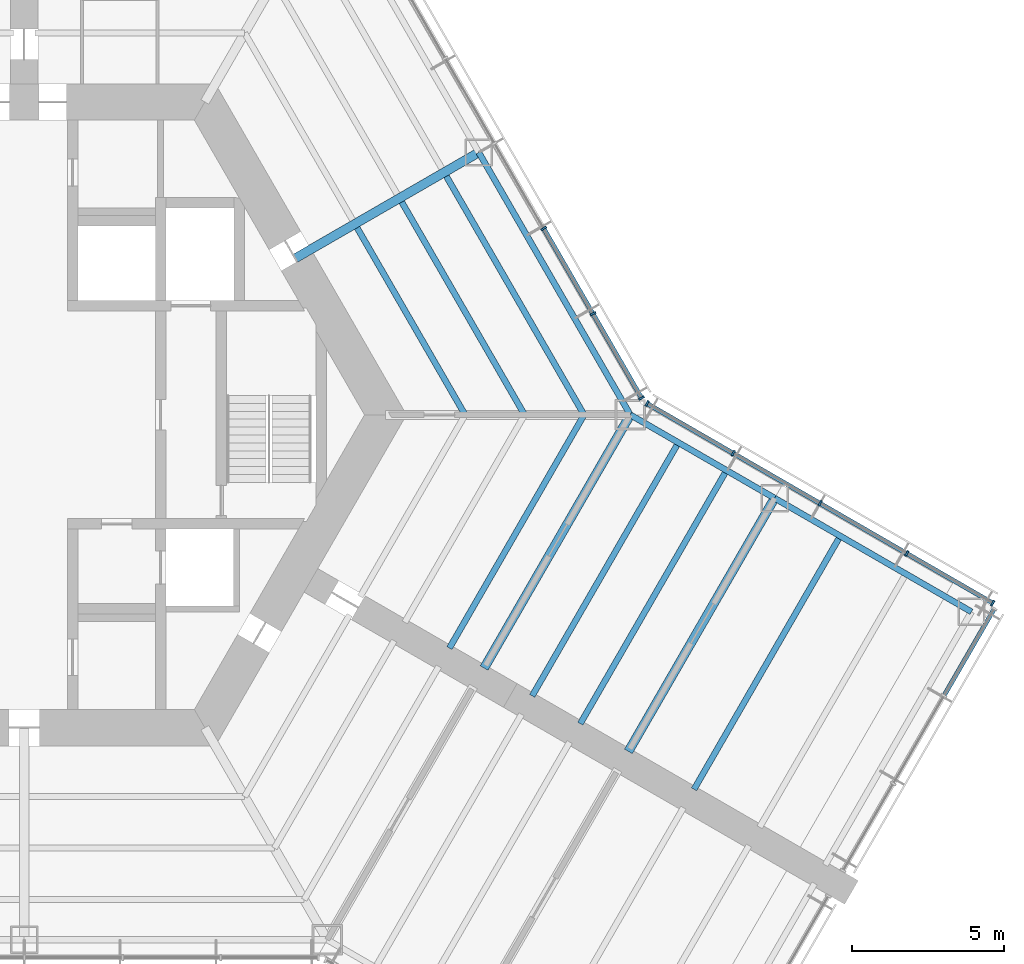
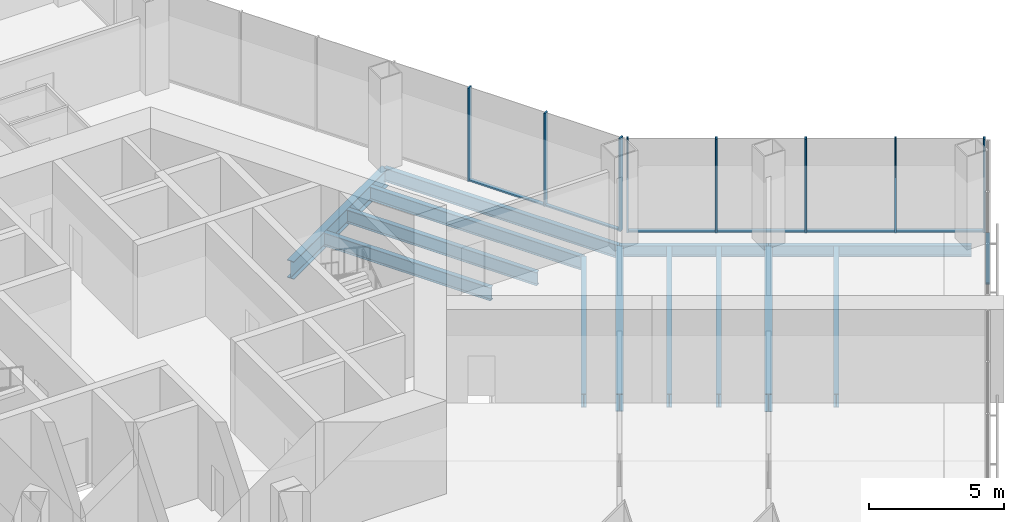
# One storey, part 5 of 15: 15 members, 13 beams, 3 elements without a shape of their own.
"""IFC4 building model written with IfcOpenShell, lengths in metres."""

from ifc_helpers import new_model, si_unit, direction, frame, origin, origin_2d, place, context, subcontext, project, spatial, rectangle, i_section, extrude, material, material_profile, profile_set, type_object, element, aggregate, save


model = new_model("IFC4")

# Units and contexts
model_context = context("Model", 3, precision=1e-05, world=origin(), true_north=direction((0.0, 1.0)))
body_context = subcontext(model_context, "Body", "Model", "MODEL_VIEW")
ifc_project = project(units=[si_unit("LENGTHUNIT", "METRE"), si_unit("AREAUNIT", "SQUARE_METRE"), si_unit("VOLUMEUNIT", "CUBIC_METRE"), si_unit("PLANEANGLEUNIT", "RADIAN"), si_unit("MASSUNIT", "GRAM", prefix="KILO")], contexts=[model_context])

# Site, building, storey
site_placement = place(None, origin())
site = spatial("IfcSite", under=ifc_project, at=site_placement, CompositionType="ELEMENT")
building_placement = place(site_placement, origin())
building = spatial("IfcBuilding", under=site, at=building_placement, Name="Kasaneha Research Tower", CompositionType="ELEMENT")
storey_placement = place(building_placement, frame((0.0, 0.0, 31.0)))
storey = spatial("IfcBuildingStorey", under=building, at=storey_placement, Name="L08", CompositionType="ELEMENT", Elevation=31.0)

# Beams
ifc_material_1 = material(Name="Steel SN490B", Category="steel")
ifc_material_profile_1 = material_profile(ifc_material_1, i_section(OverallWidth=0.199951171875, OverallDepth=0.60009765625, WebThickness=0.010986328125, FlangeThickness=0.01708984375, FilletRadius=0.012939453125, at=origin_2d()), Name="H-600x200x11x17")
ifc_profile_set_1 = profile_set([ifc_material_profile_1], Name="Steel SN490B")
beam_type_1 = type_object("IfcBeamType", Name="B1-2 secondary beam H-600x200x11x17", PredefinedType="JOIST", material=ifc_profile_set_1)
beam_1_placement = place(storey_placement, frame((14.54931640625, 0.0, -0.469970703125), z_axis=(-0.500016104636, 0.866016105569, 0.0), x_axis=(-0.866016105569, -0.500016104636, 0.0)))
element("IfcBeam", 1, at=beam_1_placement, inside=storey, type_object=beam_type_1, Name="Secondary beam RS030L1 L08", PredefinedType="JOIST", context=body_context, shape_type="SweptSolid", body=[
    extrude(i_section(OverallWidth=0.199951171875, OverallDepth=0.60009765625, WebThickness=0.010986328125, FlangeThickness=0.01708984375, FilletRadius=0.012939453125, at=origin_2d()), origin(), (0.0, 0.0, 1.0), 7.124755859375),
])
beam_2_placement = place(storey_placement, frame((16.51220703125, 0.0, -0.469970703125), z_axis=(-0.49999707157, 0.866027094508, 0.0), x_axis=(-0.866027094508, -0.49999707157, 0.0)))
element("IfcBeam", 2, at=beam_2_placement, inside=storey, type_object=beam_type_1, Name="Secondary beam RS030L2 L08", PredefinedType="JOIST", context=body_context, shape_type="SweptSolid", body=[
    extrude(i_section(OverallWidth=0.199951171875, OverallDepth=0.60009765625, WebThickness=0.010986328125, FlangeThickness=0.01708984375, FilletRadius=0.012939453125, at=origin_2d()), origin(), (0.0, 0.0, 1.0), 8.10595703125),
])
beam_3_placement = place(storey_placement, frame((18.47509765625, 0.0, -0.469970703125), z_axis=(-0.499990665392, 0.866030793056, 0.0), x_axis=(-0.866030793056, -0.499990665392, 0.0)))
element("IfcBeam", 3, at=beam_3_placement, inside=storey, type_object=beam_type_1, Name="Secondary beam RS030L3 L08", PredefinedType="JOIST", context=body_context, shape_type="SweptSolid", body=[
    extrude(i_section(OverallWidth=0.199951171875, OverallDepth=0.60009765625, WebThickness=0.010986328125, FlangeThickness=0.01708984375, FilletRadius=0.012939453125, at=origin_2d()), origin(), (0.0, 0.0, 1.0), 9.087646484375),
])
beam_4_placement = place(storey_placement, frame((18.47509765625, 0.0, -0.469970703125), z_axis=(-0.499988779951, -0.866031881586, 0.0), x_axis=(0.866031881586, -0.499988779951, 0.0)))
element("IfcBeam", 4, at=beam_4_placement, inside=storey, type_object=beam_type_1, Name="Secondary beam RS330R3 L08", PredefinedType="JOIST", context=body_context, shape_type="SweptSolid", body=[
    extrude(i_section(OverallWidth=0.199951171875, OverallDepth=0.60009765625, WebThickness=0.010986328125, FlangeThickness=0.01708984375, FilletRadius=0.012939453125, at=origin_2d()), origin(), (0.0, 0.0, 1.0), 8.887451171875),
])
ifc_material_2 = material(Name="Steel SN490B", Category="steel")
ifc_material_profile_2 = material_profile(ifc_material_2, i_section(OverallWidth=0.198974609375, OverallDepth=0.595947265625, WebThickness=0.010009765625, FlangeThickness=0.014892578125, FilletRadius=0.012939453125, at=origin_2d()), Name="H-596x199x10x15")
ifc_profile_set_2 = profile_set([ifc_material_profile_2], Name="Steel SN490B")
beam_type_2 = type_object("IfcBeamType", Name="B2-2 secondary beam H-596x199x10x15", PredefinedType="JOIST", material=ifc_profile_set_2)
beam_5_placement = place(storey_placement, frame((21.587646484375, -0.916748046875, -0.468017578125), z_axis=(-0.499994742786, -0.866028439017, 0.0), x_axis=(0.866028439017, -0.499994742786, 0.0)))
element("IfcBeam", 5, at=beam_5_placement, inside=storey, type_object=beam_type_2, Name="Secondary beam WBCN1 L08", PredefinedType="JOIST", context=body_context, shape_type="SweptSolid", body=[
    extrude(i_section(OverallWidth=0.198974609375, OverallDepth=0.595947265625, WebThickness=0.010009765625, FlangeThickness=0.014892578125, FilletRadius=0.012939453125, at=origin_2d()), origin(), (0.0, 0.0, 1.0), 9.64990234375),
])
beam_6_placement = place(storey_placement, frame((23.175537109375, -1.833251953125, -0.468017578125), z_axis=(-0.500013717211, -0.866017484004, 0.0), x_axis=(0.866017484004, -0.500013717211, 0.0)))
element("IfcBeam", 6, at=beam_6_placement, inside=storey, type_object=beam_type_2, Name="Secondary beam WBCN2 L08", PredefinedType="JOIST", context=body_context, shape_type="SweptSolid", body=[
    extrude(i_section(OverallWidth=0.198974609375, OverallDepth=0.595947265625, WebThickness=0.010009765625, FlangeThickness=0.014892578125, FilletRadius=0.012939453125, at=origin_2d()), origin(), (0.0, 0.0, 1.0), 9.650146484375),
])
beam_7_placement = place(storey_placement, frame((26.92822265625, -4.0, -0.468017578125), z_axis=(-0.499994742786, -0.866028439017, 0.0), x_axis=(0.866028439017, -0.499994742786, 0.0)))
element("IfcBeam", 7, at=beam_7_placement, inside=storey, type_object=beam_type_2, Name="Secondary beam WBCN3 L08", PredefinedType="JOIST", context=body_context, shape_type="SweptSolid", body=[
    extrude(i_section(OverallWidth=0.198974609375, OverallDepth=0.595947265625, WebThickness=0.010009765625, FlangeThickness=0.014892578125, FilletRadius=0.012939453125, at=origin_2d()), origin(), (0.0, 0.0, 1.0), 9.64990234375),
])

# Curtain wall, members
ifc_material_3 = material(Name="Glass and aluminium", Category="aluminium")
curtain_wall_type = type_object("IfcCurtainWallType", Name="Dry laboratory curtain wall", PredefinedType="USERDEFINED", material=ifc_material_3)
curtain_wall_1_placement = place(storey_placement, origin())
curtain_wall_1 = element("IfcCurtainWall", 8, at=curtain_wall_1_placement, inside=storey, type_object=curtain_wall_type, Name="CW-L2 L08 run 06a", ObjectType="UNITISED CURTAIN WALL", PredefinedType="USERDEFINED")
ifc_material_4 = material(Name="Aluminium 6063-T6", Category="aluminium")
ifc_material_profile_3 = material_profile(ifc_material_4, rectangle(XDim=0.06494140625, YDim=0.199951171875, at=origin_2d()), Name="CW-L2 mullion 65x200")
ifc_profile_set_3 = profile_set([ifc_material_profile_3], Name="Aluminium 6063-T6")
member_type_1 = type_object("IfcMemberType", Name="CW-L2 mullion", PredefinedType="MULLION", material=ifc_profile_set_3)
member_1_placement = place(storey_placement, frame((31.963134765625, -6.214111328125, 0.0), z_axis=(0.0, 0.0, 1.0), x_axis=(-0.866025411464, 0.499999986699, 0.0)))
member_1 = element("IfcMember", 9, at=member_1_placement, type_object=member_type_1, Name="CW-L2 mullion 1", PredefinedType="MULLION", context=body_context, shape_type="SweptSolid", body=[
    extrude(rectangle(XDim=0.06494140625, YDim=0.199951171875, at=origin_2d()), origin(), (0.0, 0.0, 1.0), 4.199951171875),
])
member_2_placement = place(storey_placement, frame((29.125, -4.575439453125, 0.0), z_axis=(0.0, 0.0, 1.0), x_axis=(-0.866025411464, 0.499999986699, 0.0)))
member_2 = element("IfcMember", 10, at=member_2_placement, type_object=member_type_1, Name="CW-L2 mullion 2", PredefinedType="MULLION", context=body_context, shape_type="SweptSolid", body=[
    extrude(rectangle(XDim=0.06494140625, YDim=0.199951171875, at=origin_2d()), origin(), (0.0, 0.0, 1.0), 4.199951171875),
])
member_3_placement = place(storey_placement, frame((26.258544921875, -2.920654296875, 0.0), z_axis=(0.0, 0.0, 1.0), x_axis=(-0.866025411464, 0.499999986699, 0.0)))
member_3 = element("IfcMember", 11, at=member_3_placement, type_object=member_type_1, Name="CW-L2 mullion 3", PredefinedType="MULLION", context=body_context, shape_type="SweptSolid", body=[
    extrude(rectangle(XDim=0.06494140625, YDim=0.199951171875, at=origin_2d()), origin(), (0.0, 0.0, 1.0), 4.199951171875),
])
member_4_placement = place(storey_placement, frame((23.39208984375, -1.265625, 0.0), z_axis=(0.0, 0.0, 1.0), x_axis=(-0.866025411464, 0.499999986699, 0.0)))
member_4 = element("IfcMember", 12, at=member_4_placement, type_object=member_type_1, Name="CW-L2 mullion 4", PredefinedType="MULLION", context=body_context, shape_type="SweptSolid", body=[
    extrude(rectangle(XDim=0.06494140625, YDim=0.199951171875, at=origin_2d()), origin(), (0.0, 0.0, 1.0), 4.199951171875),
])
member_5_placement = place(storey_placement, frame((20.553955078125, 0.373046875, 0.0), z_axis=(0.0, 0.0, 1.0), x_axis=(-0.866025411464, 0.499999986699, 0.0)))
member_5 = element("IfcMember", 13, at=member_5_placement, type_object=member_type_1, Name="CW-L2 mullion 5", PredefinedType="MULLION", context=body_context, shape_type="SweptSolid", body=[
    extrude(rectangle(XDim=0.06494140625, YDim=0.199951171875, at=origin_2d()), origin(), (0.0, 0.0, 1.0), 4.199951171875),
])

curtain_wall_2_placement = place(storey_placement, origin())
curtain_wall_2 = element("IfcCurtainWall", 14, at=curtain_wall_2_placement, inside=storey, type_object=curtain_wall_type, Name="CW-L2 L08 run 07a", ObjectType="UNITISED CURTAIN WALL", PredefinedType="USERDEFINED")
member_6_placement = place(storey_placement, frame((20.373046875, 0.553955078125, 0.0), z_axis=(0.0, 0.0, 1.0), x_axis=(-0.49999996188, 0.866025425793, 0.0)))
member_6 = element("IfcMember", 15, at=member_6_placement, type_object=member_type_1, Name="CW-L2 mullion 1", PredefinedType="MULLION", context=body_context, shape_type="SweptSolid", body=[
    extrude(rectangle(XDim=0.06494140625, YDim=0.199951171875, at=origin_2d()), origin(), (0.0, 0.0, 1.0), 4.199951171875),
])
member_7_placement = place(storey_placement, frame((18.76611328125, 3.33740234375, 0.0), z_axis=(0.0, 0.0, 1.0), x_axis=(-0.49999996188, 0.866025425793, 0.0)))
member_7 = element("IfcMember", 16, at=member_7_placement, type_object=member_type_1, Name="CW-L2 mullion 2", PredefinedType="MULLION", context=body_context, shape_type="SweptSolid", body=[
    extrude(rectangle(XDim=0.06494140625, YDim=0.199951171875, at=origin_2d()), origin(), (0.0, 0.0, 1.0), 4.199951171875),
])
member_8_placement = place(storey_placement, frame((17.142822265625, 6.148681640625, 0.0), z_axis=(0.0, 0.0, 1.0), x_axis=(-0.49999996188, 0.866025425793, 0.0)))
member_8 = element("IfcMember", 17, at=member_8_placement, type_object=member_type_1, Name="CW-L2 mullion 3", PredefinedType="MULLION", context=body_context, shape_type="SweptSolid", body=[
    extrude(rectangle(XDim=0.06494140625, YDim=0.199951171875, at=origin_2d()), origin(), (0.0, 0.0, 1.0), 4.199951171875),
])

# Curtain wall, member
curtain_wall_3_placement = place(storey_placement, origin())
curtain_wall_3 = element("IfcCurtainWall", 18, at=curtain_wall_3_placement, inside=storey, type_object=curtain_wall_type, Name="CW-L2 L08 run 05a", ObjectType="UNITISED CURTAIN WALL", PredefinedType="USERDEFINED")
ifc_material_5 = material(Name="Aluminium 6063-T6", Category="aluminium")
ifc_material_profile_4 = material_profile(ifc_material_5, rectangle(XDim=0.14990234375, YDim=0.06494140625, at=origin_2d()), Name="CW-L2 transom 150x65")
ifc_profile_set_4 = profile_set([ifc_material_profile_4], Name="Aluminium 6063-T6")
member_type_2 = type_object("IfcMemberType", Name="CW-L2 transom", PredefinedType="USERDEFINED", material=ifc_profile_set_4)
member_9_placement = place(storey_placement, frame((30.369140625, -9.239990234375, 0.032470703125), z_axis=(0.500006189695, 0.866021830133, 0.0), x_axis=(-0.866021830133, 0.500006189695, 0.0)))
member_9 = element("IfcMember", 19, at=member_9_placement, type_object=member_type_2, Name="CW-L2 transom 3", ObjectType="TRANSOM", PredefinedType="USERDEFINED", context=body_context, shape_type="SweptSolid", body=[
    extrude(rectangle(XDim=0.14990234375, YDim=0.06494140625, at=origin_2d()), origin(), (0.0, 0.0, 1.0), 3.25244140625),
])
aggregate(curtain_wall_3, [member_9])

# Member
member_10_placement = place(storey_placement, frame((31.93505859375, -6.197998046875, 0.032470703125), z_axis=(-0.866022320763, 0.500005339912, 0.0), x_axis=(-0.500005339912, -0.866022320763, 0.0)))
member_10 = element("IfcMember", 20, at=member_10_placement, type_object=member_type_2, Name="CW-L2 transom 1", ObjectType="TRANSOM", PredefinedType="USERDEFINED", context=body_context, shape_type="SweptSolid", body=[
    extrude(rectangle(XDim=0.14990234375, YDim=0.06494140625, at=origin_2d()), origin(), (0.0, 0.0, 1.0), 3.21240234375),
])

member_11_placement = place(storey_placement, frame((29.096923828125, -4.559326171875, 0.032470703125), z_axis=(-0.866021460221, 0.500006830391, 0.0), x_axis=(-0.500006830391, -0.866021460221, 0.0)))
member_11 = element("IfcMember", 21, at=member_11_placement, type_object=member_type_2, Name="CW-L2 transom 2", ObjectType="TRANSOM", PredefinedType="USERDEFINED", context=body_context, shape_type="SweptSolid", body=[
    extrude(rectangle(XDim=0.14990234375, YDim=0.06494140625, at=origin_2d()), origin(), (0.0, 0.0, 1.0), 3.2451171875),
])

member_12_placement = place(storey_placement, frame((26.23046875, -2.904296875, 0.032470703125), z_axis=(-0.866035229914, 0.499982980259, 0.0), x_axis=(-0.499982980259, -0.866035229914, 0.0)))
member_12 = element("IfcMember", 22, at=member_12_placement, type_object=member_type_2, Name="CW-L2 transom 3", ObjectType="TRANSOM", PredefinedType="USERDEFINED", context=body_context, shape_type="SweptSolid", body=[
    extrude(rectangle(XDim=0.14990234375, YDim=0.06494140625, at=origin_2d()), origin(), (0.0, 0.0, 1.0), 3.24462890625),
])

member_13_placement = place(storey_placement, frame((23.364013671875, -1.24951171875, 0.032470703125), z_axis=(-0.866022320763, 0.500005339912, 0.0), x_axis=(-0.500005339912, -0.866022320763, 0.0)))
member_13 = element("IfcMember", 23, at=member_13_placement, type_object=member_type_2, Name="CW-L2 transom 4", ObjectType="TRANSOM", PredefinedType="USERDEFINED", context=body_context, shape_type="SweptSolid", body=[
    extrude(rectangle(XDim=0.14990234375, YDim=0.06494140625, at=origin_2d()), origin(), (0.0, 0.0, 1.0), 3.21240234375),
])

aggregate(curtain_wall_1, [member_1, member_2, member_3, member_4, member_5, member_10, member_11, member_12, member_13])

member_14_placement = place(storey_placement, frame((20.356689453125, 0.58203125, 0.032470703125), z_axis=(-0.49999985423, 0.866025487945, 0.0), x_axis=(-0.866025487945, -0.49999985423, 0.0)))
member_14 = element("IfcMember", 24, at=member_14_placement, type_object=member_type_2, Name="CW-L2 transom 1", ObjectType="TRANSOM", PredefinedType="USERDEFINED", context=body_context, shape_type="SweptSolid", body=[
    extrude(rectangle(XDim=0.14990234375, YDim=0.06494140625, at=origin_2d()), origin(), (0.0, 0.0, 1.0), 3.14892578125),
])

member_15_placement = place(storey_placement, frame((18.749755859375, 3.365478515625, 0.032470703125), z_axis=(-0.499977104415, 0.866038622153, 0.0), x_axis=(-0.866038622153, -0.499977104415, 0.0)))
member_15 = element("IfcMember", 25, at=member_15_placement, type_object=member_type_2, Name="CW-L2 transom 2", ObjectType="TRANSOM", PredefinedType="USERDEFINED", context=body_context, shape_type="SweptSolid", body=[
    extrude(rectangle(XDim=0.14990234375, YDim=0.06494140625, at=origin_2d()), origin(), (0.0, 0.0, 1.0), 3.181396484375),
])

aggregate(curtain_wall_2, [member_6, member_7, member_8, member_14, member_15])

# Beams
ifc_material_6 = material(Name="Steel SN490B", Category="steel")
ifc_material_profile_5 = material_profile(ifc_material_6, i_section(OverallWidth=0.300048828125, OverallDepth=0.800048828125, WebThickness=0.013916015625, FlangeThickness=0.02587890625, FilletRadius=0.01806640625, at=origin_2d()), Name="H-800x300x14x26")
ifc_profile_set_5 = profile_set([ifc_material_profile_5], Name="Steel SN490B")
beam_type_3 = type_object("IfcBeamType", Name="G2-2 radial girder H-800x300x14x26", PredefinedType="BEAM", material=ifc_profile_set_5)
beam_8_placement = place(storey_placement, frame((8.941650390625, 5.16259765625, -0.570068359375), z_axis=(0.866039713508, 0.499975214012, 0.0), x_axis=(-0.499975214012, 0.866039713508, 0.0)))
element("IfcBeam", 26, at=beam_8_placement, inside=storey, type_object=beam_type_3, Name="Radial girder RM030 L08", PredefinedType="BEAM", context=body_context, shape_type="SweptSolid", body=[
    extrude(i_section(OverallWidth=0.300048828125, OverallDepth=0.800048828125, WebThickness=0.013916015625, FlangeThickness=0.02587890625, FilletRadius=0.01806640625, at=origin_2d()), origin(), (0.0, 0.0, 1.0), 6.995361328125),
])
ifc_material_7 = material(Name="Steel SN490B", Category="steel")
ifc_material_profile_6 = material_profile(ifc_material_7, i_section(OverallWidth=0.300048828125, OverallDepth=0.7919921875, WebThickness=0.013916015625, FlangeThickness=0.02197265625, FilletRadius=0.01806640625, at=origin_2d()), Name="H-792x300x14x22")
ifc_profile_set_6 = profile_set([ifc_material_profile_6], Name="Steel SN490B")
beam_type_4 = type_object("IfcBeamType", Name="G3-2 plate edge girder H-792x300x14x22", PredefinedType="BEAM", material=ifc_profile_set_6)
beam_9_placement = place(storey_placement, frame((20.0, 0.0, -0.56591796875), z_axis=(-0.499994742786, -0.866028439017, 0.0), x_axis=(0.866028439017, -0.499994742786, 0.0)))
element("IfcBeam", 27, at=beam_9_placement, inside=storey, type_object=beam_type_4, Name="Plate edge girder PECN L08", PredefinedType="BEAM", context=body_context, shape_type="SweptSolid", body=[
    extrude(i_section(OverallWidth=0.300048828125, OverallDepth=0.7919921875, WebThickness=0.013916015625, FlangeThickness=0.02197265625, FilletRadius=0.01806640625, at=origin_2d()), origin(), (0.0, 0.0, 1.0), 9.64990234375),
])
ifc_material_8 = material(Name="Steel SN490B", Category="steel")
ifc_material_profile_7 = material_profile(ifc_material_8, i_section(OverallWidth=0.300048828125, OverallDepth=0.800048828125, WebThickness=0.013916015625, FlangeThickness=0.02587890625, FilletRadius=0.01806640625, at=origin_2d()), Name="H-800x300x14x26")
ifc_profile_set_7 = profile_set([ifc_material_profile_7], Name="Steel SN490B")
beam_type_5 = type_object("IfcBeamType", Name="G4-2 wing girder H-800x300x14x26", PredefinedType="BEAM", material=ifc_profile_set_7)
beam_10_placement = place(storey_placement, frame((24.76318359375, -2.75, -0.570068359375), z_axis=(-0.499994742786, -0.866028439017, 0.0), x_axis=(0.866028439017, -0.499994742786, 0.0)))
element("IfcBeam", 28, at=beam_10_placement, inside=storey, type_object=beam_type_5, Name="Wing girder WGCN L08", PredefinedType="BEAM", context=body_context, shape_type="SweptSolid", body=[
    extrude(i_section(OverallWidth=0.300048828125, OverallDepth=0.800048828125, WebThickness=0.013916015625, FlangeThickness=0.02587890625, FilletRadius=0.01806640625, at=origin_2d()), origin(), (0.0, 0.0, 1.0), 9.64990234375),
])
ifc_material_9 = material(Name="Steel SN490B", Category="steel")
ifc_material_profile_8 = material_profile(ifc_material_9, i_section(OverallWidth=0.199951171875, OverallDepth=0.60009765625, WebThickness=0.010986328125, FlangeThickness=0.01708984375, FilletRadius=0.012939453125, at=origin_2d()), Name="H-600x200x11x17")
ifc_profile_set_8 = profile_set([ifc_material_profile_8], Name="Steel SN490B")
beam_type_6 = type_object("IfcBeamType", Name="SB1-2 spandrel beam H-600x200x11x17", PredefinedType="SPANDREL", material=ifc_profile_set_8)
beam_11_placement = place(storey_placement, frame((20.0, 0.0, -0.469970703125), z_axis=(-0.500004234368, 0.866022959057, 0.0), x_axis=(-0.866022959057, -0.500004234368, 0.0)))
element("IfcBeam", 29, at=beam_11_placement, inside=storey, type_object=beam_type_6, Name="Spandrel beam SR030L L08", PredefinedType="SPANDREL", context=body_context, shape_type="SweptSolid", body=[
    extrude(i_section(OverallWidth=0.199951171875, OverallDepth=0.60009765625, WebThickness=0.010986328125, FlangeThickness=0.01708984375, FilletRadius=0.012939453125, at=origin_2d()), origin(), (0.0, 0.0, 1.0), 10.0),
])
ifc_material_10 = material(Name="Steel SN490B", Category="steel")
ifc_material_profile_9 = material_profile(ifc_material_10, i_section(OverallWidth=0.199951171875, OverallDepth=0.5, WebThickness=0.010009765625, FlangeThickness=0.01611328125, FilletRadius=0.012939453125, at=origin_2d()), Name="H-500x200x10x16")
ifc_profile_set_9 = profile_set([ifc_material_profile_9], Name="Steel SN490B")
beam_type_7 = type_object("IfcBeamType", Name="SB2-2 spandrel beam H-500x200x10x16", PredefinedType="SPANDREL", material=ifc_profile_set_9)
beam_12_placement = place(storey_placement, frame((20.0, 0.0, -0.419921875), z_axis=(0.866027397988, -0.499996545922, 0.0), x_axis=(0.499996545922, 0.866027397988, 0.0)))
element("IfcBeam", 30, at=beam_12_placement, inside=storey, type_object=beam_type_7, Name="Spandrel beam WSCN1 L08", PredefinedType="SPANDREL", context=body_context, shape_type="SweptSolid", body=[
    extrude(i_section(OverallWidth=0.199951171875, OverallDepth=0.5, WebThickness=0.010009765625, FlangeThickness=0.01611328125, FilletRadius=0.012939453125, at=origin_2d()), origin(), (0.0, 0.0, 1.0), 5.5),
])
beam_13_placement = place(storey_placement, frame((24.76318359375, -2.75, -0.419921875), z_axis=(0.866022959057, -0.500004234368, 0.0), x_axis=(0.500004234368, 0.866022959057, 0.0)))
element("IfcBeam", 31, at=beam_13_placement, inside=storey, type_object=beam_type_7, Name="Spandrel beam WSCN2 L08", PredefinedType="SPANDREL", context=body_context, shape_type="SweptSolid", body=[
    extrude(i_section(OverallWidth=0.199951171875, OverallDepth=0.5, WebThickness=0.010009765625, FlangeThickness=0.01611328125, FilletRadius=0.012939453125, at=origin_2d()), origin(), (0.0, 0.0, 1.0), 7.5),
])

save(model, "model.ifc")
